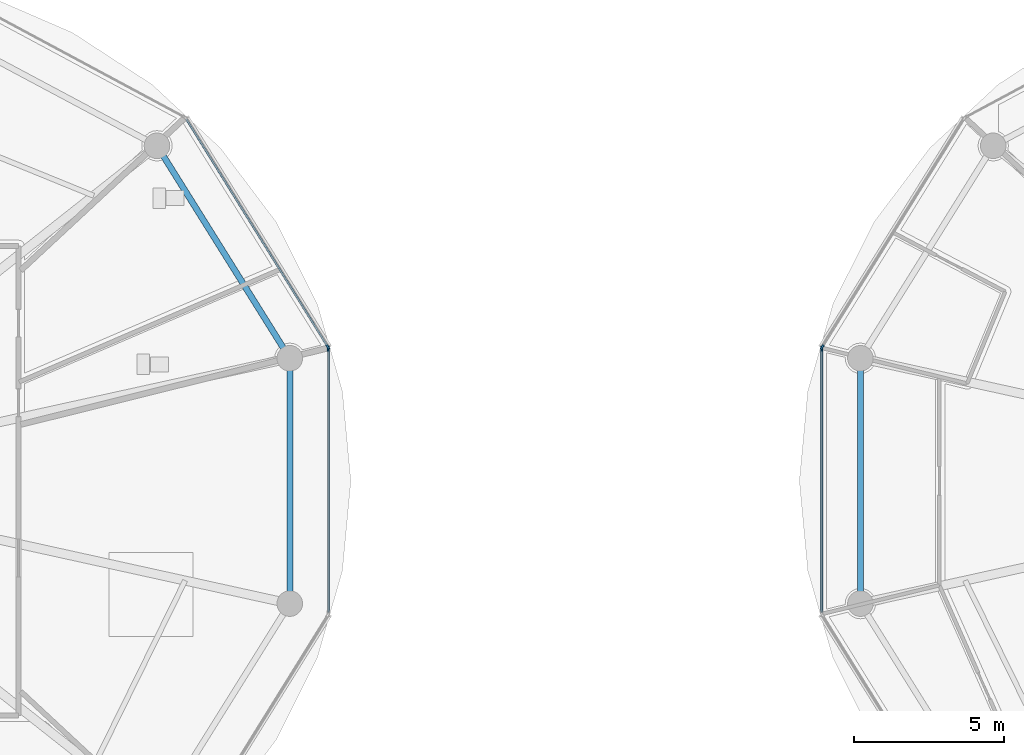
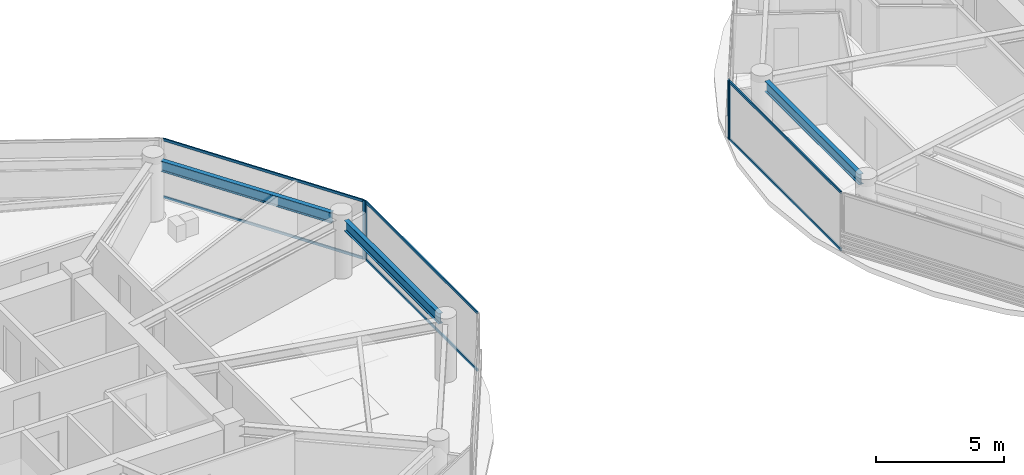
# One storey, part 7 of 25: 10 members, 3 beams, 4 elements without a shape of their own.
"""IFC4 building model written with IfcOpenShell, lengths in metres."""

from ifc_helpers import new_model, si_unit, direction, frame, origin, origin_2d, place, context, subcontext, project, spatial, rectangle, i_section, extrude, source, transform, mapped, material, layer, layer_set, material_profile, profile_set, type_object, type_shapes, element, aggregate, save


model = new_model("IFC4")

# Units and contexts
model_context = context("Model", 3, precision=1e-05, world=origin(), true_north=direction((0.0, 1.0)))
body_context = subcontext(model_context, "Body", "Model", "MODEL_VIEW")
ifc_project = project(units=[si_unit("LENGTHUNIT", "METRE"), si_unit("AREAUNIT", "SQUARE_METRE"), si_unit("VOLUMEUNIT", "CUBIC_METRE"), si_unit("PLANEANGLEUNIT", "RADIAN"), si_unit("MASSUNIT", "GRAM", prefix="KILO")], contexts=[model_context])

# Site, building, storey
site_placement = place(None, origin())
site = spatial("IfcSite", under=ifc_project, at=site_placement, CompositionType="ELEMENT")
building_placement = place(site_placement, origin())
building = spatial("IfcBuilding", under=site, at=building_placement, Name="Norrkilde Senior Care Towers", CompositionType="ELEMENT")
storey_placement = place(building_placement, frame((0.0, 0.0, 99.300048828125)))
storey = spatial("IfcBuildingStorey", under=building, at=storey_placement, Name="L30", CompositionType="ELEMENT", Elevation=99.300048828125)

# Beams
ifc_material_1 = material(Name="Steel S355", Category="steel")
ifc_material_profile_1 = material_profile(ifc_material_1, i_section(OverallWidth=0.199951171875, OverallDepth=0.5, WebThickness=0.01025390625, FlangeThickness=0.01611328125, FilletRadius=0.02099609375, at=origin_2d()), Name="IPE 500")
ifc_profile_set_1 = profile_set([ifc_material_profile_1], Name="Steel S355")
beam_type = type_object("IfcBeamType", Name="Perimeter Ring Spandrel Z2 IPE500", PredefinedType="SPANDREL", material=ifc_profile_set_1)
shared_shape_1 = source(origin(), body_context, "Body", "SweptSolid", [
    extrude(i_section(OverallWidth=0.199951171875, OverallDepth=0.5, WebThickness=0.01025390625, FlangeThickness=0.01611328125, FilletRadius=0.02099609375, at=origin_2d()), origin(), (0.0, 0.0, 1.0), 7.55615234375),
])
beam_placement = place(storey_placement, frame((-9.68505859375, 4.40283203125, 2.5400390625), z_axis=(-0.529981514254, 0.848009194849, 0.0), x_axis=(-0.848009194849, -0.529981514254, 0.0)))
element("IfcBeam", 1, at=beam_placement, inside=storey, type_object=beam_type, Name="L30 Drum W Perimeter Spandrel 01", PredefinedType="SPANDREL", context=body_context, shape_type="MappedRepresentation", body=[
    mapped(shared_shape_1, transform((0.0, 0.0, 0.0), x_axis=(1.0, 0.0, 0.0), y_axis=(0.0, 1.0, 0.0), z_axis=(0.0, 0.0, 1.0), scale=1.0)),
])
shared_shape_2 = source(origin(), body_context, "Body", "SweptSolid", [
    extrude(i_section(OverallWidth=0.199951171875, OverallDepth=0.5, WebThickness=0.01025390625, FlangeThickness=0.01611328125, FilletRadius=0.02099609375, at=origin_2d()), origin(), (0.0, 0.0, 1.0), 7.3828125),
])
type_shapes(beam_type, [shared_shape_1, shared_shape_2])
for number, where, z_axis, x_axis, name in (
    (2, (-9.48095703125, -3.69140625, 2.5400390625), (0.0, 1.0, 0.0), (-1.0, 0.0, 0.0), "L30 Drum W Perimeter Spandrel 12"),
    (3, (9.48095703125, 3.69140625, 2.5400390625), (0.0, -1.0, 0.0), (1.0, 0.0, 0.0), "L30 Drum E Perimeter Spandrel 06"),
):
    element("IfcBeam", number, at=place(storey_placement, frame(where, z_axis=z_axis, x_axis=x_axis)), inside=storey, type_object=beam_type, Name=name, PredefinedType="SPANDREL", context=body_context, shape_type="MappedRepresentation", body=[
        mapped(shared_shape_2, transform((0.0, 0.0, 0.0), x_axis=(1.0, 0.0, 0.0), y_axis=(0.0, 1.0, 0.0), z_axis=(0.0, 0.0, 1.0), scale=1.0)),
    ])

# Curtain wall, member
ifc_material_2 = material(Name="Triple Low-E Insulated Glazing", Category="glass")
ifc_layer = layer(ifc_material_2, 0.195068359375)
ifc_layer_set = layer_set([ifc_layer], Name="Triple Low-E Insulated Glazing")
curtain_wall_type = type_object("IfcCurtainWallType", Name="CW3 Zone 2 Assisted Living Curtain Wall", PredefinedType="NOTDEFINED", material=ifc_layer_set)
curtain_wall_1_placement = place(storey_placement, origin())
curtain_wall_1 = element("IfcCurtainWall", 4, at=curtain_wall_1_placement, inside=storey, type_object=curtain_wall_type, Name="L30 Drum W Curtain Wall 00", PredefinedType="NOTDEFINED")
ifc_material_3 = material(Name="Anodised Aluminium", Category="aluminium")
ifc_material_profile_2 = material_profile(ifc_material_3, rectangle(XDim=0.06494140625, YDim=0.159912109375, at=origin_2d()), Name="ALU MULL 65x160")
ifc_profile_set_2 = profile_set([ifc_material_profile_2], Name="Anodised Aluminium")
member_type_1 = type_object("IfcMemberType", Name="Curtain Wall Mullion Z1-Z2 65x160", PredefinedType="MULLION", material=ifc_profile_set_2)
shared_shape_3 = source(origin(), body_context, "Body", "SweptSolid", [
    extrude(rectangle(XDim=0.06494140625, YDim=0.159912109375, at=origin_2d()), origin(), (0.0, 0.0, 1.0), 2.7900390625),
])
type_shapes(member_type_1, [shared_shape_3])
member_1_placement = place(storey_placement, frame((-8.21337890625, 4.4482421875, 0.0), z_axis=(0.0, 0.0, 1.0), x_axis=(0.849410171862, 0.527733228002, 0.0)))
member_1 = element("IfcMember", 5, at=member_1_placement, type_object=member_type_1, Name="CW-3 mullion 2", PredefinedType="MULLION", context=body_context, shape_type="MappedRepresentation", body=[
    mapped(shared_shape_3, transform((0.0, 0.0, 0.0), x_axis=(1.0, 0.0, 0.0), y_axis=(0.0, 1.0, 0.0), z_axis=(0.0, 0.0, 1.0), scale=1.0)),
])

curtain_wall_2_placement = place(storey_placement, origin())
curtain_wall_2 = element("IfcCurtainWall", 6, at=curtain_wall_2_placement, inside=storey, type_object=curtain_wall_type, Name="L30 Drum W Curtain Wall 11", PredefinedType="NOTDEFINED")
member_2_placement = place(storey_placement, frame((-8.1962890625, 4.38818359375, 0.0), z_axis=(0.0, 0.0, 1.0), x_axis=(1.0, 0.0, 0.0)))
member_2 = element("IfcMember", 7, at=member_2_placement, type_object=member_type_1, Name="CW-3 mullion 1", PredefinedType="MULLION", context=body_context, shape_type="MappedRepresentation", body=[
    mapped(shared_shape_3, transform((0.0, 0.0, 0.0), x_axis=(1.0, 0.0, 0.0), y_axis=(0.0, 1.0, 0.0), z_axis=(0.0, 0.0, 1.0), scale=1.0)),
])

curtain_wall_3_placement = place(storey_placement, origin())
curtain_wall_3 = element("IfcCurtainWall", 8, at=curtain_wall_3_placement, inside=storey, type_object=curtain_wall_type, Name="L30 Drum E Curtain Wall 04", PredefinedType="NOTDEFINED")
member_3_placement = place(storey_placement, frame((8.21337890625, 4.4482421875, 0.0), z_axis=(0.0, 0.0, 1.0), x_axis=(-0.849410171862, 0.527733228002, 0.0)))
member_3 = element("IfcMember", 9, at=member_3_placement, type_object=member_type_1, Name="CW-3 mullion 1", PredefinedType="MULLION", context=body_context, shape_type="MappedRepresentation", body=[
    mapped(shared_shape_3, transform((0.0, 0.0, 0.0), x_axis=(1.0, 0.0, 0.0), y_axis=(0.0, 1.0, 0.0), z_axis=(0.0, 0.0, 1.0), scale=1.0)),
])
aggregate(curtain_wall_3, [member_3])

curtain_wall_4_placement = place(storey_placement, origin())
curtain_wall_4 = element("IfcCurtainWall", 10, at=curtain_wall_4_placement, inside=storey, type_object=curtain_wall_type, Name="L30 Drum E Curtain Wall 05", PredefinedType="NOTDEFINED")
member_4_placement = place(storey_placement, frame((8.1962890625, 4.38818359375, 0.0), z_axis=(0.0, 0.0, 1.0), x_axis=(-1.0, 0.0, 0.0)))
member_4 = element("IfcMember", 11, at=member_4_placement, type_object=member_type_1, Name="CW-3 mullion 2", PredefinedType="MULLION", context=body_context, shape_type="MappedRepresentation", body=[
    mapped(shared_shape_3, transform((0.0, 0.0, 0.0), x_axis=(1.0, 0.0, 0.0), y_axis=(0.0, 1.0, 0.0), z_axis=(0.0, 0.0, 1.0), scale=1.0)),
])

# Member
ifc_material_profile_3 = material_profile(ifc_material_3, rectangle(XDim=0.06005859375, YDim=0.1201171875, at=origin_2d()), Name="ALU TRAN 60x120")
ifc_profile_set_3 = profile_set([ifc_material_profile_3], Name="Anodised Aluminium")
member_type_2 = type_object("IfcMemberType", Name="Curtain Wall Transom Typical 60x120", PredefinedType="USERDEFINED", material=ifc_profile_set_3)
shared_shape_4 = source(origin(), body_context, "Body", "SweptSolid", [
    extrude(rectangle(XDim=0.06005859375, YDim=0.1201171875, at=origin_2d()), origin(), (0.0, 0.0, 1.0), 8.88427734375),
])
member_5_placement = place(storey_placement, frame((-12.919189453125, 12.022216796875, 0.030029296875), z_axis=(0.527749293309, -0.849400190377, 0.0), x_axis=(0.849400190377, 0.527749293309, 0.0)))
member_5 = element("IfcMember", 12, at=member_5_placement, type_object=member_type_2, Name="CW-3 transom 1.1", ObjectType="TRANSOM", PredefinedType="USERDEFINED", context=body_context, shape_type="MappedRepresentation", body=[
    mapped(shared_shape_4, transform((0.0, 0.0, 0.0), x_axis=(1.0, 0.0, 0.0), y_axis=(0.0, 1.0, 0.0), z_axis=(0.0, 0.0, 1.0), scale=1.0)),
])

member_6_placement = place(storey_placement, frame((-12.919189453125, 12.022216796875, 2.760009765625), z_axis=(0.527749293309, -0.849400190377, 0.0), x_axis=(0.849400190377, 0.527749293309, 0.0)))
member_6 = element("IfcMember", 13, at=member_6_placement, type_object=member_type_2, Name="CW-3 transom 1.2", ObjectType="TRANSOM", PredefinedType="USERDEFINED", context=body_context, shape_type="MappedRepresentation", body=[
    mapped(shared_shape_4, transform((0.0, 0.0, 0.0), x_axis=(1.0, 0.0, 0.0), y_axis=(0.0, 1.0, 0.0), z_axis=(0.0, 0.0, 1.0), scale=1.0)),
])

aggregate(curtain_wall_1, [member_1, member_5, member_6])

shared_shape_5 = source(origin(), body_context, "Body", "SweptSolid", [
    extrude(rectangle(XDim=0.06005859375, YDim=0.1201171875, at=origin_2d()), origin(), (0.0, 0.0, 1.0), 8.71142578125),
])
type_shapes(member_type_2, [shared_shape_4, shared_shape_5])
member_7_placement = place(storey_placement, frame((-8.1962890625, 4.355712890625, 0.030029296875), z_axis=(0.0, -1.0, 0.0), x_axis=(1.0, 0.0, 0.0)))
member_7 = element("IfcMember", 14, at=member_7_placement, type_object=member_type_2, Name="CW-3 transom 1.1", ObjectType="TRANSOM", PredefinedType="USERDEFINED", context=body_context, shape_type="MappedRepresentation", body=[
    mapped(shared_shape_5, transform((0.0, 0.0, 0.0), x_axis=(1.0, 0.0, 0.0), y_axis=(0.0, 1.0, 0.0), z_axis=(0.0, 0.0, 1.0), scale=1.0)),
])

member_8_placement = place(storey_placement, frame((-8.1962890625, 4.355712890625, 2.760009765625), z_axis=(0.0, -1.0, 0.0), x_axis=(1.0, 0.0, 0.0)))
member_8 = element("IfcMember", 15, at=member_8_placement, type_object=member_type_2, Name="CW-3 transom 1.2", ObjectType="TRANSOM", PredefinedType="USERDEFINED", context=body_context, shape_type="MappedRepresentation", body=[
    mapped(shared_shape_5, transform((0.0, 0.0, 0.0), x_axis=(1.0, 0.0, 0.0), y_axis=(0.0, 1.0, 0.0), z_axis=(0.0, 0.0, 1.0), scale=1.0)),
])

aggregate(curtain_wall_2, [member_2, member_7, member_8])

member_9_placement = place(storey_placement, frame((8.1962890625, -4.355712890625, 0.030029296875), z_axis=(0.0, 1.0, 0.0), x_axis=(-1.0, 0.0, 0.0)))
member_9 = element("IfcMember", 16, at=member_9_placement, type_object=member_type_2, Name="CW-3 transom 1.1", ObjectType="TRANSOM", PredefinedType="USERDEFINED", context=body_context, shape_type="MappedRepresentation", body=[
    mapped(shared_shape_5, transform((0.0, 0.0, 0.0), x_axis=(1.0, 0.0, 0.0), y_axis=(0.0, 1.0, 0.0), z_axis=(0.0, 0.0, 1.0), scale=1.0)),
])

member_10_placement = place(storey_placement, frame((8.1962890625, -4.355712890625, 2.760009765625), z_axis=(0.0, 1.0, 0.0), x_axis=(-1.0, 0.0, 0.0)))
member_10 = element("IfcMember", 17, at=member_10_placement, type_object=member_type_2, Name="CW-3 transom 1.2", ObjectType="TRANSOM", PredefinedType="USERDEFINED", context=body_context, shape_type="MappedRepresentation", body=[
    mapped(shared_shape_5, transform((0.0, 0.0, 0.0), x_axis=(1.0, 0.0, 0.0), y_axis=(0.0, 1.0, 0.0), z_axis=(0.0, 0.0, 1.0), scale=1.0)),
])

aggregate(curtain_wall_4, [member_4, member_9, member_10])

save(model, "model.ifc")
